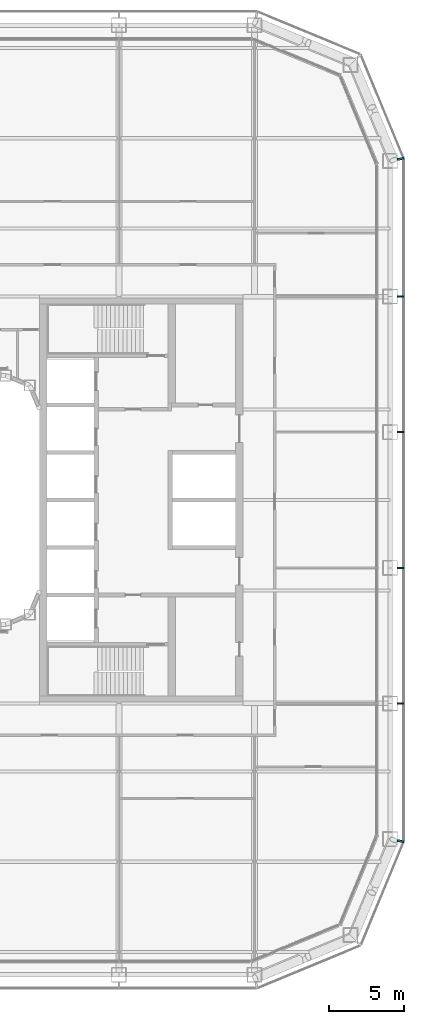
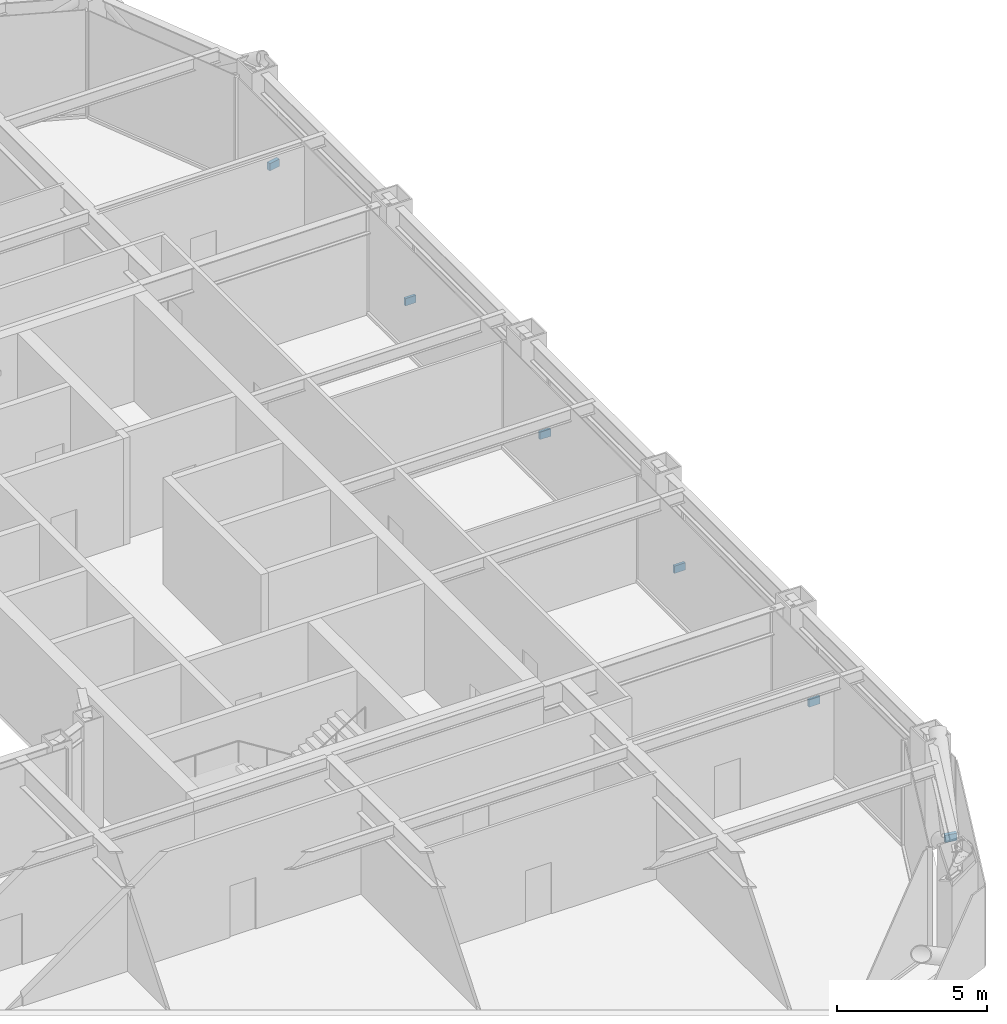
# One storey, part 21 of 27: 6 discrete accessories.
"""IFC4 building model written with IfcOpenShell, lengths in metres."""

from ifc_helpers import new_model, si_unit, direction, frame, origin, origin_2d, place, context, subcontext, project, spatial, rectangle, extrude, material, type_object, element, save


model = new_model("IFC4")

# Units and contexts
model_context = context("Model", 3, precision=1e-05, world=origin(), true_north=direction((0.0, 1.0)))
body_context = subcontext(model_context, "Body", "Model", "MODEL_VIEW")
ifc_project = project(units=[si_unit("LENGTHUNIT", "METRE"), si_unit("AREAUNIT", "SQUARE_METRE"), si_unit("VOLUMEUNIT", "CUBIC_METRE"), si_unit("PLANEANGLEUNIT", "RADIAN"), si_unit("MASSUNIT", "GRAM", prefix="KILO")], contexts=[model_context])

# Site, building, storey
site_placement = place(None, origin())
site = spatial("IfcSite", under=ifc_project, at=site_placement, CompositionType="ELEMENT")
building_placement = place(site_placement, origin())
building = spatial("IfcBuilding", under=site, at=building_placement, Name="Siwar Civic Tower", CompositionType="ELEMENT")
storey_placement = place(building_placement, frame((0.0, 0.0, 53.699951171875)))
storey = spatial("IfcBuildingStorey", under=building, at=storey_placement, Name="L11", CompositionType="ELEMENT", Elevation=53.699951171875)

# Discrete accessories
ifc_material = material(Name="Stainless steel 316", Category="steel")
discrete_accessory_type = type_object("IfcDiscreteAccessoryType", Name="ENV-BRACKET", PredefinedType="BRACKET", material=ifc_material)
for number, where, z_axis, x_axis, name in (
    (1, (32.18994140625, -13.5, -0.14990234375), (0.0, 0.0, 1.0), (1.0, 0.0, 0.0), "Bracket outer skin joint E-01"),
    (2, (32.18994140625, -4.5, -0.14990234375), (0.0, 0.0, 1.0), (1.0, 0.0, 0.0), "Bracket outer skin joint E-02"),
    (3, (32.18994140625, 4.5, -0.14990234375), (0.0, 0.0, 1.0), (1.0, 0.0, 0.0), "Bracket outer skin joint E-03"),
    (4, (32.18994140625, 13.5, -0.14990234375), (0.0, 0.0, 1.0), (1.0, 0.0, 0.0), "Bracket outer skin joint E-04"),
):
    element("IfcDiscreteAccessory", number, at=place(storey_placement, frame(where, z_axis=z_axis, x_axis=x_axis)), inside=storey, type_object=discrete_accessory_type, Name=name, PredefinedType="BRACKET", context=body_context, shape_type="SweptSolid", body=[
        extrude(rectangle(XDim=0.419921875, YDim=0.10009765625, at=origin_2d()), origin(), (0.0, 0.0, 1.0), 0.300048828125),
    ])
for number, where, z_axis, x_axis, name in (
    (5, (32.190185546875, -22.63720703125, -0.14990234375), (0.0, 0.0, 1.0), (0.980785280403, -0.195090322016, 0.0), "Bracket outer skin joint V03"),
    (6, (32.190185546875, 22.63720703125, -0.14990234375), (0.0, 0.0, 1.0), (0.980785280403, 0.195090322016, 0.0), "Bracket outer skin joint V04"),
):
    element("IfcDiscreteAccessory", number, at=place(storey_placement, frame(where, z_axis=z_axis, x_axis=x_axis)), inside=storey, type_object=discrete_accessory_type, Name=name, PredefinedType="BRACKET", context=body_context, shape_type="SweptSolid", body=[
        extrude(rectangle(XDim=0.427734375, YDim=0.13720703125, at=origin_2d()), origin(), (0.0, 0.0, 1.0), 0.300048828125),
    ])

save(model, "model.ifc")
